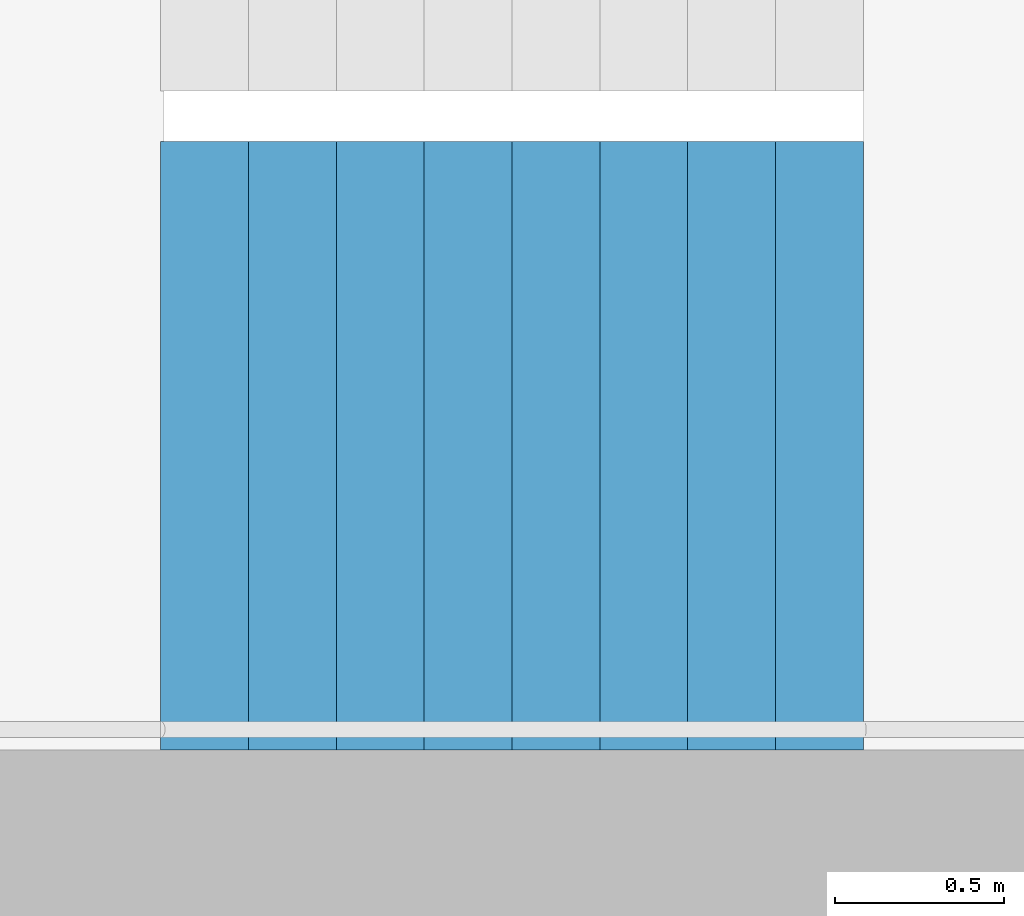
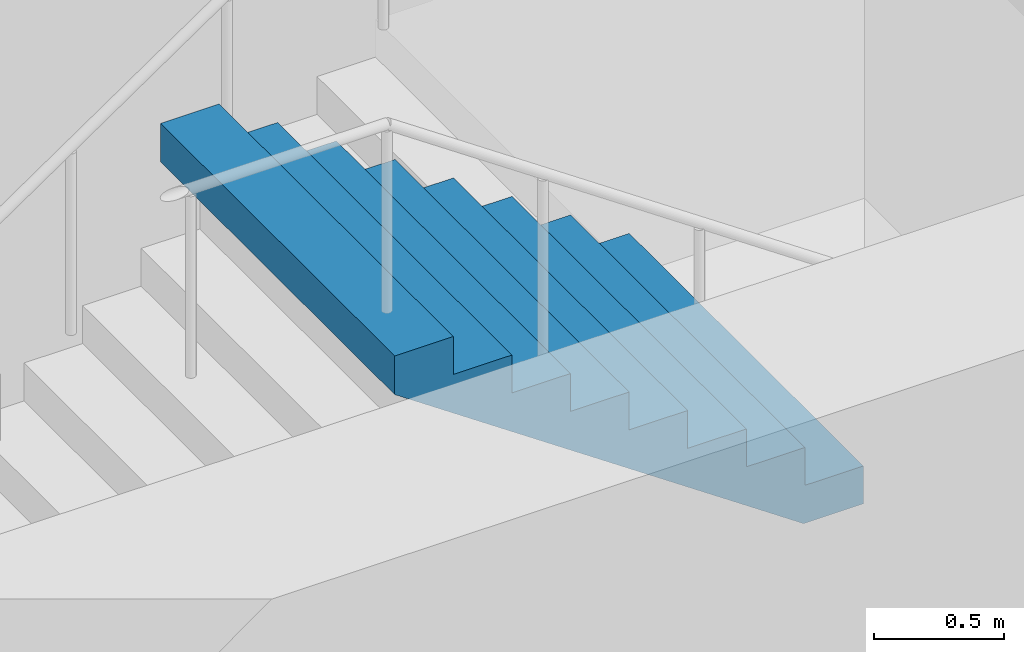
# One storey, part 25 of 29: 1 stair flight, 1 element without a shape of its own.
"""IFC4 building model written with IfcOpenShell, lengths in metres."""

from ifc_helpers import new_model, si_unit, direction, frame, origin, place, context, subcontext, project, spatial, triangles, material, type_object, element, aggregate, save


model = new_model("IFC4")

# Units and contexts
model_context = context("Model", 3, precision=1e-05, world=origin(), true_north=direction((0.0, 1.0)))
body_context = subcontext(model_context, "Body", "Model", "MODEL_VIEW")
ifc_project = project(units=[si_unit("LENGTHUNIT", "METRE"), si_unit("AREAUNIT", "SQUARE_METRE"), si_unit("VOLUMEUNIT", "CUBIC_METRE"), si_unit("PLANEANGLEUNIT", "RADIAN"), si_unit("MASSUNIT", "GRAM", prefix="KILO")], contexts=[model_context])

# Site, building, storey
site_placement = place(None, origin())
site = spatial("IfcSite", under=ifc_project, at=site_placement, CompositionType="ELEMENT")
building_placement = place(site_placement, origin())
building = spatial("IfcBuilding", under=site, at=building_placement, Name="Hakoniwa Tower and Hamabe Station Hall", CompositionType="ELEMENT")
storey_placement = place(building_placement, frame((0.0, 0.0, 55.0)))
storey = spatial("IfcBuildingStorey", under=building, at=storey_placement, Name="L15", CompositionType="ELEMENT", Elevation=55.0)

# Stair, stair flight
ifc_material_1 = material(Name="Concrete C40", Category="concrete")
stair_type = type_object("IfcStairType", Name="ESCAPE STAIR 1800", PredefinedType="HALF_TURN_STAIR", material=ifc_material_1)
stair_placement = place(storey_placement, origin())
stair = element("IfcStair", 1, at=stair_placement, inside=storey, type_object=stair_type, Name="Escape stair ST-4 L15", PredefinedType="HALF_TURN_STAIR")
ifc_material_2 = material(Name="Concrete C40", Category="concrete")
stair_flight_type = type_object("IfcStairFlightType", Name="STAIR FLIGHT 1800", PredefinedType="STRAIGHT", material=ifc_material_2)
stair_flight_placement = place(storey_placement, frame((25.47998046875, -6.60009765625, 1.60009765625), z_axis=(0.0, 0.0, 1.0), x_axis=(-1.0, 0.0, 0.0)))
stair_flight = element("IfcStairFlight", 2, at=stair_flight_placement, type_object=stair_flight_type, Name="ST-4 flight 2", NumberOfRisers=9, NumberOfTreads=8, PredefinedType="STRAIGHT", RiserHeight=0.177777778, TreadLength=0.26, context=body_context, shape_type="Tessellation", body=[
    triangles([(0.0, 0.89990234375, 0.0), (0.260009765625, 0.89990234375, 0.0), (0.265625, 0.89990234375, 0.0), (0.52001953125, 0.89990234375, 0.174072265625), (0.780029296875, 0.89990234375, 0.351806640625), (1.0400390625, 0.89990234375, 0.529541015625), (1.300048828125, 0.89990234375, 0.707275390625), (1.56005859375, 0.89990234375, 0.885009765625), (1.820068359375, 0.89990234375, 1.062744140625), (2.080078125, 0.89990234375, 1.24072265625), (2.080078125, 0.89990234375, 1.422119140625), (1.820068359375, 0.89990234375, 1.422119140625), (1.820068359375, 0.89990234375, 1.244384765625), (1.56005859375, 0.89990234375, 1.244384765625), (1.56005859375, 0.89990234375, 1.066650390625), (1.300048828125, 0.89990234375, 1.066650390625), (1.300048828125, 0.89990234375, 0.888916015625), (1.0400390625, 0.89990234375, 0.888916015625), (1.0400390625, 0.89990234375, 0.711181640625), (0.780029296875, 0.89990234375, 0.711181640625), (0.780029296875, 0.89990234375, 0.533447265625), (0.52001953125, 0.89990234375, 0.533447265625), (0.52001953125, 0.89990234375, 0.35546875), (0.265625, 0.89990234375, 0.35546875), (0.260009765625, 0.89990234375, 0.35546875), (0.260009765625, 0.89990234375, 0.177734375), (0.0, 0.89990234375, 0.177734375), (0.0, 0.06005859375, 0.0), (0.260009765625, 0.06005859375, 0.0), (0.265625, 0.06005859375, 0.0), (0.52001953125, 0.06005859375, 0.174072265625), (0.780029296875, 0.06005859375, 0.351806640625), (1.0400390625, 0.06005859375, 0.529541015625), (1.300048828125, 0.06005859375, 0.707275390625), (1.56005859375, 0.06005859375, 0.885009765625), (1.820068359375, 0.06005859375, 1.062744140625), (2.080078125, 0.06005859375, 1.24072265625), (2.080078125, 0.06005859375, 1.422119140625), (1.820068359375, 0.06005859375, 1.422119140625), (1.820068359375, 0.06005859375, 1.244384765625), (1.56005859375, 0.06005859375, 1.244384765625), (1.56005859375, 0.06005859375, 1.066650390625), (1.300048828125, 0.06005859375, 1.066650390625), (1.300048828125, 0.06005859375, 0.888916015625), (1.0400390625, 0.06005859375, 0.888916015625), (1.0400390625, 0.06005859375, 0.711181640625), (0.780029296875, 0.06005859375, 0.711181640625), (0.780029296875, 0.06005859375, 0.533447265625), (0.52001953125, 0.06005859375, 0.533447265625), (0.52001953125, 0.06005859375, 0.35546875), (0.265625, 0.06005859375, 0.35546875), (0.260009765625, 0.06005859375, 0.35546875), (0.260009765625, 0.06005859375, 0.177734375), (0.0, 0.06005859375, 0.177734375), (0.0, 0.04296875, 0.0), (0.260009765625, 0.04296875, 0.0), (0.265625, 0.04296875, 0.0), (0.52001953125, 0.04296875, 0.174072265625), (0.780029296875, 0.04296875, 0.351806640625), (1.0400390625, 0.04296875, 0.529541015625), (1.300048828125, 0.04296875, 0.707275390625), (1.56005859375, 0.04296875, 0.885009765625), (1.820068359375, 0.04296875, 1.062744140625), (2.080078125, 0.04296875, 1.24072265625), (2.080078125, 0.04296875, 1.422119140625), (1.820068359375, 0.04296875, 1.422119140625), (1.820068359375, 0.04296875, 1.244384765625), (1.56005859375, 0.04296875, 1.244384765625), (1.56005859375, 0.04296875, 1.066650390625), (1.300048828125, 0.04296875, 1.066650390625), (1.300048828125, 0.04296875, 0.888916015625), (1.0400390625, 0.04296875, 0.888916015625), (1.0400390625, 0.04296875, 0.711181640625), (0.780029296875, 0.04296875, 0.711181640625), (0.780029296875, 0.04296875, 0.533447265625), (0.52001953125, 0.04296875, 0.533447265625), (0.52001953125, 0.04296875, 0.35546875), (0.265625, 0.04296875, 0.35546875), (0.260009765625, 0.04296875, 0.35546875), (0.260009765625, 0.04296875, 0.177734375), (0.0, 0.04296875, 0.177734375), (0.0, 0.025634765625, 0.0), (0.260009765625, 0.025634765625, 0.0), (0.265625, 0.025634765625, 0.0), (0.52001953125, 0.025634765625, 0.174072265625), (0.780029296875, 0.025634765625, 0.351806640625), (1.0400390625, 0.025634765625, 0.529541015625), (1.300048828125, 0.025634765625, 0.707275390625), (1.56005859375, 0.025634765625, 0.885009765625), (1.820068359375, 0.025634765625, 1.062744140625), (2.080078125, 0.025634765625, 1.24072265625), (2.080078125, 0.025634765625, 1.422119140625), (1.820068359375, 0.025634765625, 1.422119140625), (1.820068359375, 0.025634765625, 1.244384765625), (1.56005859375, 0.025634765625, 1.244384765625), (1.56005859375, 0.025634765625, 1.066650390625), (1.300048828125, 0.025634765625, 1.066650390625), (1.300048828125, 0.025634765625, 0.888916015625), (1.0400390625, 0.025634765625, 0.888916015625), (1.0400390625, 0.025634765625, 0.711181640625), (0.780029296875, 0.025634765625, 0.711181640625), (0.780029296875, 0.025634765625, 0.533447265625), (0.52001953125, 0.025634765625, 0.533447265625), (0.52001953125, 0.025634765625, 0.35546875), (0.265625, 0.025634765625, 0.35546875), (0.260009765625, 0.025634765625, 0.35546875), (0.260009765625, 0.025634765625, 0.177734375), (0.0, 0.025634765625, 0.177734375), (0.0, 0.008544921875, 0.0), (0.260009765625, 0.008544921875, 0.0), (0.265625, 0.008544921875, 0.0), (0.52001953125, 0.008544921875, 0.174072265625), (0.780029296875, 0.008544921875, 0.351806640625), (1.0400390625, 0.008544921875, 0.529541015625), (1.300048828125, 0.008544921875, 0.707275390625), (1.56005859375, 0.008544921875, 0.885009765625), (1.820068359375, 0.008544921875, 1.062744140625), (2.080078125, 0.008544921875, 1.24072265625), (2.080078125, 0.008544921875, 1.422119140625), (1.820068359375, 0.008544921875, 1.422119140625), (1.820068359375, 0.008544921875, 1.244384765625), (1.56005859375, 0.008544921875, 1.244384765625), (1.56005859375, 0.008544921875, 1.066650390625), (1.300048828125, 0.008544921875, 1.066650390625), (1.300048828125, 0.008544921875, 0.888916015625), (1.0400390625, 0.008544921875, 0.888916015625), (1.0400390625, 0.008544921875, 0.711181640625), (0.780029296875, 0.008544921875, 0.711181640625), (0.780029296875, 0.008544921875, 0.533447265625), (0.52001953125, 0.008544921875, 0.533447265625), (0.52001953125, 0.008544921875, 0.35546875), (0.265625, 0.008544921875, 0.35546875), (0.260009765625, 0.008544921875, 0.35546875), (0.260009765625, 0.008544921875, 0.177734375), (0.0, 0.008544921875, 0.177734375), (0.0, -0.008544921875, 0.0), (0.260009765625, -0.008544921875, 0.0), (0.265625, -0.008544921875, 0.0), (0.52001953125, -0.008544921875, 0.174072265625), (0.780029296875, -0.008544921875, 0.351806640625), (1.0400390625, -0.008544921875, 0.529541015625), (1.300048828125, -0.008544921875, 0.707275390625), (1.56005859375, -0.008544921875, 0.885009765625), (1.820068359375, -0.008544921875, 1.062744140625), (2.080078125, -0.008544921875, 1.24072265625), (2.080078125, -0.008544921875, 1.422119140625), (1.820068359375, -0.008544921875, 1.422119140625), (1.820068359375, -0.008544921875, 1.244384765625), (1.56005859375, -0.008544921875, 1.244384765625), (1.56005859375, -0.008544921875, 1.066650390625), (1.300048828125, -0.008544921875, 1.066650390625), (1.300048828125, -0.008544921875, 0.888916015625), (1.0400390625, -0.008544921875, 0.888916015625), (1.0400390625, -0.008544921875, 0.711181640625), (0.780029296875, -0.008544921875, 0.711181640625), (0.780029296875, -0.008544921875, 0.533447265625), (0.52001953125, -0.008544921875, 0.533447265625), (0.52001953125, -0.008544921875, 0.35546875), (0.265625, -0.008544921875, 0.35546875), (0.260009765625, -0.008544921875, 0.35546875), (0.260009765625, -0.008544921875, 0.177734375), (0.0, -0.008544921875, 0.177734375), (0.0, -0.025634765625, 0.0), (0.260009765625, -0.025634765625, 0.0), (0.265625, -0.025634765625, 0.0), (0.52001953125, -0.025634765625, 0.174072265625), (0.780029296875, -0.025634765625, 0.351806640625), (1.0400390625, -0.025634765625, 0.529541015625), (1.300048828125, -0.025634765625, 0.707275390625), (1.56005859375, -0.025634765625, 0.885009765625), (1.820068359375, -0.025634765625, 1.062744140625), (2.080078125, -0.025634765625, 1.24072265625), (2.080078125, -0.025634765625, 1.422119140625), (1.820068359375, -0.025634765625, 1.422119140625), (1.820068359375, -0.025634765625, 1.244384765625), (1.56005859375, -0.025634765625, 1.244384765625), (1.56005859375, -0.025634765625, 1.066650390625), (1.300048828125, -0.025634765625, 1.066650390625), (1.300048828125, -0.025634765625, 0.888916015625), (1.0400390625, -0.025634765625, 0.888916015625), (1.0400390625, -0.025634765625, 0.711181640625), (0.780029296875, -0.025634765625, 0.711181640625), (0.780029296875, -0.025634765625, 0.533447265625), (0.52001953125, -0.025634765625, 0.533447265625), (0.52001953125, -0.025634765625, 0.35546875), (0.265625, -0.025634765625, 0.35546875), (0.260009765625, -0.025634765625, 0.35546875), (0.260009765625, -0.025634765625, 0.177734375), (0.0, -0.025634765625, 0.177734375), (0.0, -0.04296875, 0.0), (0.260009765625, -0.04296875, 0.0), (0.265625, -0.04296875, 0.0), (0.52001953125, -0.04296875, 0.174072265625), (0.780029296875, -0.04296875, 0.351806640625), (1.0400390625, -0.04296875, 0.529541015625), (1.300048828125, -0.04296875, 0.707275390625), (1.56005859375, -0.04296875, 0.885009765625), (1.820068359375, -0.04296875, 1.062744140625), (2.080078125, -0.04296875, 1.24072265625), (2.080078125, -0.04296875, 1.422119140625), (1.820068359375, -0.04296875, 1.422119140625), (1.820068359375, -0.04296875, 1.244384765625), (1.56005859375, -0.04296875, 1.244384765625), (1.56005859375, -0.04296875, 1.066650390625), (1.300048828125, -0.04296875, 1.066650390625), (1.300048828125, -0.04296875, 0.888916015625), (1.0400390625, -0.04296875, 0.888916015625), (1.0400390625, -0.04296875, 0.711181640625), (0.780029296875, -0.04296875, 0.711181640625), (0.780029296875, -0.04296875, 0.533447265625), (0.52001953125, -0.04296875, 0.533447265625), (0.52001953125, -0.04296875, 0.35546875), (0.265625, -0.04296875, 0.35546875), (0.260009765625, -0.04296875, 0.35546875), (0.260009765625, -0.04296875, 0.177734375), (0.0, -0.04296875, 0.177734375), (0.0, -0.06005859375, 0.0), (0.260009765625, -0.06005859375, 0.0), (0.265625, -0.06005859375, 0.0), (0.52001953125, -0.06005859375, 0.174072265625), (0.780029296875, -0.06005859375, 0.351806640625), (1.0400390625, -0.06005859375, 0.529541015625), (1.300048828125, -0.06005859375, 0.707275390625), (1.56005859375, -0.06005859375, 0.885009765625), (1.820068359375, -0.06005859375, 1.062744140625), (2.080078125, -0.06005859375, 1.24072265625), (2.080078125, -0.06005859375, 1.422119140625), (1.820068359375, -0.06005859375, 1.422119140625), (1.820068359375, -0.06005859375, 1.244384765625), (1.56005859375, -0.06005859375, 1.244384765625), (1.56005859375, -0.06005859375, 1.066650390625), (1.300048828125, -0.06005859375, 1.066650390625), (1.300048828125, -0.06005859375, 0.888916015625), (1.0400390625, -0.06005859375, 0.888916015625), (1.0400390625, -0.06005859375, 0.711181640625), (0.780029296875, -0.06005859375, 0.711181640625), (0.780029296875, -0.06005859375, 0.533447265625), (0.52001953125, -0.06005859375, 0.533447265625), (0.52001953125, -0.06005859375, 0.35546875), (0.265625, -0.06005859375, 0.35546875), (0.260009765625, -0.06005859375, 0.35546875), (0.260009765625, -0.06005859375, 0.177734375), (0.0, -0.06005859375, 0.177734375), (0.0, -0.89990234375, 0.0), (0.260009765625, -0.89990234375, 0.0), (0.265625, -0.89990234375, 0.0), (0.52001953125, -0.89990234375, 0.174072265625), (0.780029296875, -0.89990234375, 0.351806640625), (1.0400390625, -0.89990234375, 0.529541015625), (1.300048828125, -0.89990234375, 0.707275390625), (1.56005859375, -0.89990234375, 0.885009765625), (1.820068359375, -0.89990234375, 1.062744140625), (2.080078125, -0.89990234375, 1.24072265625), (2.080078125, -0.89990234375, 1.422119140625), (1.820068359375, -0.89990234375, 1.422119140625), (1.820068359375, -0.89990234375, 1.244384765625), (1.56005859375, -0.89990234375, 1.244384765625), (1.56005859375, -0.89990234375, 1.066650390625), (1.300048828125, -0.89990234375, 1.066650390625), (1.300048828125, -0.89990234375, 0.888916015625), (1.0400390625, -0.89990234375, 0.888916015625), (1.0400390625, -0.89990234375, 0.711181640625), (0.780029296875, -0.89990234375, 0.711181640625), (0.780029296875, -0.89990234375, 0.533447265625), (0.52001953125, -0.89990234375, 0.533447265625), (0.52001953125, -0.89990234375, 0.35546875), (0.265625, -0.89990234375, 0.35546875), (0.260009765625, -0.89990234375, 0.35546875), (0.260009765625, -0.89990234375, 0.177734375), (0.0, -0.89990234375, 0.177734375)], [[2, 27, 26], [245, 269, 270], [2, 1, 27], [245, 270, 244], [3, 25, 24], [246, 267, 268], [3, 26, 25], [246, 268, 269], [3, 2, 26], [246, 269, 245], [4, 24, 23], [247, 266, 267], [4, 3, 24], [247, 267, 246], [5, 22, 21], [248, 264, 265], [5, 23, 22], [248, 265, 266], [5, 4, 23], [248, 266, 247], [6, 20, 19], [249, 262, 263], [6, 21, 20], [249, 263, 264], [6, 5, 21], [249, 264, 248], [7, 18, 17], [250, 260, 261], [7, 19, 18], [250, 261, 262], [7, 6, 19], [250, 262, 249], [8, 16, 15], [251, 258, 259], [8, 17, 16], [251, 259, 260], [8, 7, 17], [251, 260, 250], [9, 14, 13], [252, 256, 257], [9, 15, 14], [252, 257, 258], [9, 8, 15], [252, 258, 251], [10, 12, 11], [253, 254, 255], [10, 13, 12], [253, 255, 256], [10, 9, 13], [253, 256, 252], [1, 2, 29], [1, 29, 28], [28, 29, 56], [28, 56, 55], [55, 56, 83], [55, 83, 82], [82, 83, 110], [82, 110, 109], [109, 110, 137], [109, 137, 136], [136, 137, 164], [136, 164, 163], [163, 164, 191], [163, 191, 190], [190, 191, 218], [190, 218, 217], [217, 218, 245], [217, 245, 244], [2, 3, 30], [2, 30, 29], [29, 30, 57], [29, 57, 56], [56, 57, 84], [56, 84, 83], [83, 84, 111], [83, 111, 110], [110, 111, 138], [110, 138, 137], [137, 138, 165], [137, 165, 164], [164, 165, 192], [164, 192, 191], [191, 192, 219], [191, 219, 218], [218, 219, 246], [218, 246, 245], [3, 4, 31], [3, 31, 30], [30, 31, 58], [30, 58, 57], [57, 58, 85], [57, 85, 84], [84, 85, 112], [84, 112, 111], [111, 112, 139], [111, 139, 138], [138, 139, 166], [138, 166, 165], [165, 166, 193], [165, 193, 192], [192, 193, 220], [192, 220, 219], [219, 220, 247], [219, 247, 246], [4, 5, 32], [4, 32, 31], [31, 32, 59], [31, 59, 58], [58, 59, 86], [58, 86, 85], [85, 86, 113], [85, 113, 112], [112, 113, 140], [112, 140, 139], [139, 140, 167], [139, 167, 166], [166, 167, 194], [166, 194, 193], [193, 194, 221], [193, 221, 220], [220, 221, 248], [220, 248, 247], [5, 6, 33], [5, 33, 32], [32, 33, 60], [32, 60, 59], [59, 60, 87], [59, 87, 86], [86, 87, 114], [86, 114, 113], [113, 114, 141], [113, 141, 140], [140, 141, 168], [140, 168, 167], [167, 168, 195], [167, 195, 194], [194, 195, 222], [194, 222, 221], [221, 222, 249], [221, 249, 248], [6, 7, 34], [6, 34, 33], [33, 34, 61], [33, 61, 60], [60, 61, 88], [60, 88, 87], [87, 88, 115], [87, 115, 114], [114, 115, 142], [114, 142, 141], [141, 142, 169], [141, 169, 168], [168, 169, 196], [168, 196, 195], [195, 196, 223], [195, 223, 222], [222, 223, 250], [222, 250, 249], [7, 8, 35], [7, 35, 34], [34, 35, 62], [34, 62, 61], [61, 62, 89], [61, 89, 88], [88, 89, 116], [88, 116, 115], [115, 116, 143], [115, 143, 142], [142, 143, 170], [142, 170, 169], [169, 170, 197], [169, 197, 196], [196, 197, 224], [196, 224, 223], [223, 224, 251], [223, 251, 250], [8, 9, 36], [8, 36, 35], [35, 36, 63], [35, 63, 62], [62, 63, 90], [62, 90, 89], [89, 90, 117], [89, 117, 116], [116, 117, 144], [116, 144, 143], [143, 144, 171], [143, 171, 170], [170, 171, 198], [170, 198, 197], [197, 198, 225], [197, 225, 224], [224, 225, 252], [224, 252, 251], [9, 10, 37], [9, 37, 36], [36, 37, 64], [36, 64, 63], [63, 64, 91], [63, 91, 90], [90, 91, 118], [90, 118, 117], [117, 118, 145], [117, 145, 144], [144, 145, 172], [144, 172, 171], [171, 172, 199], [171, 199, 198], [198, 199, 226], [198, 226, 225], [225, 226, 253], [225, 253, 252], [10, 11, 38], [10, 38, 37], [37, 38, 65], [37, 65, 64], [64, 65, 92], [64, 92, 91], [91, 92, 119], [91, 119, 118], [118, 119, 146], [118, 146, 145], [145, 146, 173], [145, 173, 172], [172, 173, 200], [172, 200, 199], [199, 200, 227], [199, 227, 226], [226, 227, 254], [226, 254, 253], [11, 12, 39], [11, 39, 38], [38, 39, 66], [38, 66, 65], [65, 66, 93], [65, 93, 92], [92, 93, 120], [92, 120, 119], [119, 120, 147], [119, 147, 146], [146, 147, 174], [146, 174, 173], [173, 174, 201], [173, 201, 200], [200, 201, 228], [200, 228, 227], [227, 228, 255], [227, 255, 254], [12, 13, 40], [12, 40, 39], [39, 40, 67], [39, 67, 66], [66, 67, 94], [66, 94, 93], [93, 94, 121], [93, 121, 120], [120, 121, 148], [120, 148, 147], [147, 148, 175], [147, 175, 174], [174, 175, 202], [174, 202, 201], [201, 202, 229], [201, 229, 228], [228, 229, 256], [228, 256, 255], [13, 14, 41], [13, 41, 40], [40, 41, 68], [40, 68, 67], [67, 68, 95], [67, 95, 94], [94, 95, 122], [94, 122, 121], [121, 122, 149], [121, 149, 148], [148, 149, 176], [148, 176, 175], [175, 176, 203], [175, 203, 202], [202, 203, 230], [202, 230, 229], [229, 230, 257], [229, 257, 256], [14, 15, 42], [14, 42, 41], [41, 42, 69], [41, 69, 68], [68, 69, 96], [68, 96, 95], [95, 96, 123], [95, 123, 122], [122, 123, 150], [122, 150, 149], [149, 150, 177], [149, 177, 176], [176, 177, 204], [176, 204, 203], [203, 204, 231], [203, 231, 230], [230, 231, 258], [230, 258, 257], [15, 16, 43], [15, 43, 42], [42, 43, 70], [42, 70, 69], [69, 70, 97], [69, 97, 96], [96, 97, 124], [96, 124, 123], [123, 124, 151], [123, 151, 150], [150, 151, 178], [150, 178, 177], [177, 178, 205], [177, 205, 204], [204, 205, 232], [204, 232, 231], [231, 232, 259], [231, 259, 258], [16, 17, 44], [16, 44, 43], [43, 44, 71], [43, 71, 70], [70, 71, 98], [70, 98, 97], [97, 98, 125], [97, 125, 124], [124, 125, 152], [124, 152, 151], [151, 152, 179], [151, 179, 178], [178, 179, 206], [178, 206, 205], [205, 206, 233], [205, 233, 232], [232, 233, 260], [232, 260, 259], [17, 18, 45], [17, 45, 44], [44, 45, 72], [44, 72, 71], [71, 72, 99], [71, 99, 98], [98, 99, 126], [98, 126, 125], [125, 126, 153], [125, 153, 152], [152, 153, 180], [152, 180, 179], [179, 180, 207], [179, 207, 206], [206, 207, 234], [206, 234, 233], [233, 234, 261], [233, 261, 260], [18, 19, 46], [18, 46, 45], [45, 46, 73], [45, 73, 72], [72, 73, 100], [72, 100, 99], [99, 100, 127], [99, 127, 126], [126, 127, 154], [126, 154, 153], [153, 154, 181], [153, 181, 180], [180, 181, 208], [180, 208, 207], [207, 208, 235], [207, 235, 234], [234, 235, 262], [234, 262, 261], [19, 20, 47], [19, 47, 46], [46, 47, 74], [46, 74, 73], [73, 74, 101], [73, 101, 100], [100, 101, 128], [100, 128, 127], [127, 128, 155], [127, 155, 154], [154, 155, 182], [154, 182, 181], [181, 182, 209], [181, 209, 208], [208, 209, 236], [208, 236, 235], [235, 236, 263], [235, 263, 262], [20, 21, 48], [20, 48, 47], [47, 48, 75], [47, 75, 74], [74, 75, 102], [74, 102, 101], [101, 102, 129], [101, 129, 128], [128, 129, 156], [128, 156, 155], [155, 156, 183], [155, 183, 182], [182, 183, 210], [182, 210, 209], [209, 210, 237], [209, 237, 236], [236, 237, 264], [236, 264, 263], [21, 22, 49], [21, 49, 48], [48, 49, 76], [48, 76, 75], [75, 76, 103], [75, 103, 102], [102, 103, 130], [102, 130, 129], [129, 130, 157], [129, 157, 156], [156, 157, 184], [156, 184, 183], [183, 184, 211], [183, 211, 210], [210, 211, 238], [210, 238, 237], [237, 238, 265], [237, 265, 264], [22, 23, 50], [22, 50, 49], [49, 50, 77], [49, 77, 76], [76, 77, 104], [76, 104, 103], [103, 104, 131], [103, 131, 130], [130, 131, 158], [130, 158, 157], [157, 158, 185], [157, 185, 184], [184, 185, 212], [184, 212, 211], [211, 212, 239], [211, 239, 238], [238, 239, 266], [238, 266, 265], [23, 24, 51], [23, 51, 50], [50, 51, 78], [50, 78, 77], [77, 78, 105], [77, 105, 104], [104, 105, 132], [104, 132, 131], [131, 132, 159], [131, 159, 158], [158, 159, 186], [158, 186, 185], [185, 186, 213], [185, 213, 212], [212, 213, 240], [212, 240, 239], [239, 240, 267], [239, 267, 266], [24, 25, 52], [24, 52, 51], [51, 52, 79], [51, 79, 78], [78, 79, 106], [78, 106, 105], [105, 106, 133], [105, 133, 132], [132, 133, 160], [132, 160, 159], [159, 160, 187], [159, 187, 186], [186, 187, 214], [186, 214, 213], [213, 214, 241], [213, 241, 240], [240, 241, 268], [240, 268, 267], [25, 26, 53], [25, 53, 52], [52, 53, 80], [52, 80, 79], [79, 80, 107], [79, 107, 106], [106, 107, 134], [106, 134, 133], [133, 134, 161], [133, 161, 160], [160, 161, 188], [160, 188, 187], [187, 188, 215], [187, 215, 214], [214, 215, 242], [214, 242, 241], [241, 242, 269], [241, 269, 268], [26, 27, 54], [26, 54, 53], [53, 54, 81], [53, 81, 80], [80, 81, 108], [80, 108, 107], [107, 108, 135], [107, 135, 134], [134, 135, 162], [134, 162, 161], [161, 162, 189], [161, 189, 188], [188, 189, 216], [188, 216, 215], [215, 216, 243], [215, 243, 242], [242, 243, 270], [242, 270, 269], [27, 1, 28], [27, 28, 54], [54, 28, 55], [54, 55, 81], [81, 55, 82], [81, 82, 108], [108, 82, 109], [108, 109, 135], [135, 109, 136], [135, 136, 162], [162, 136, 163], [162, 163, 189], [189, 163, 190], [189, 190, 216], [216, 190, 217], [216, 217, 243], [243, 217, 244], [243, 244, 270]], closed=True),
])
aggregate(stair, [stair_flight])

save(model, "model.ifc")
